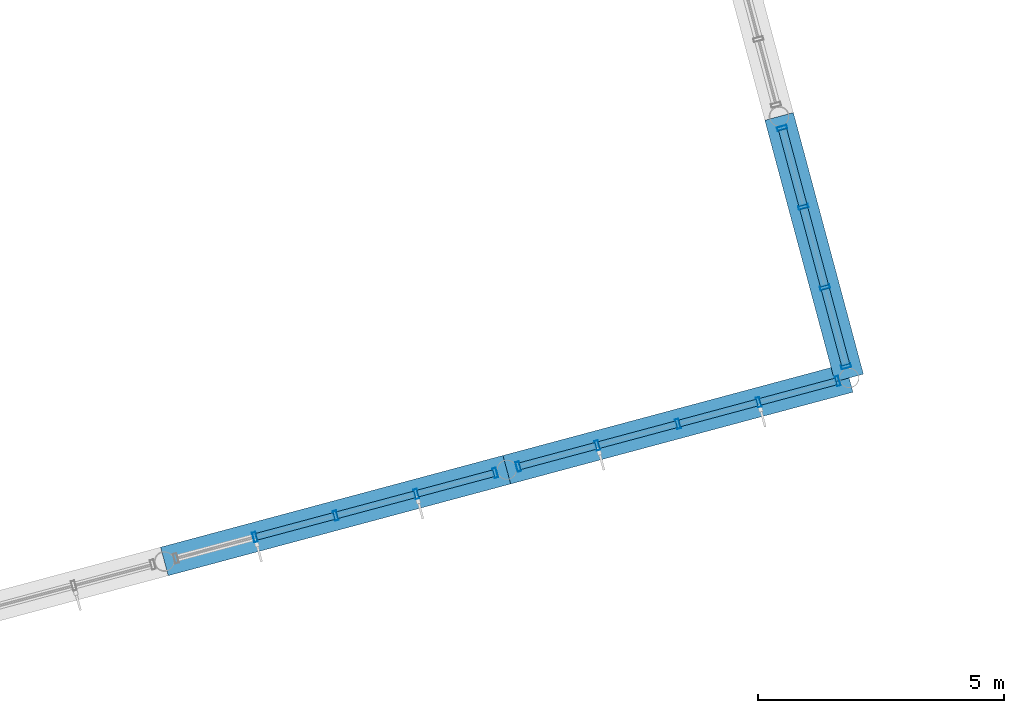
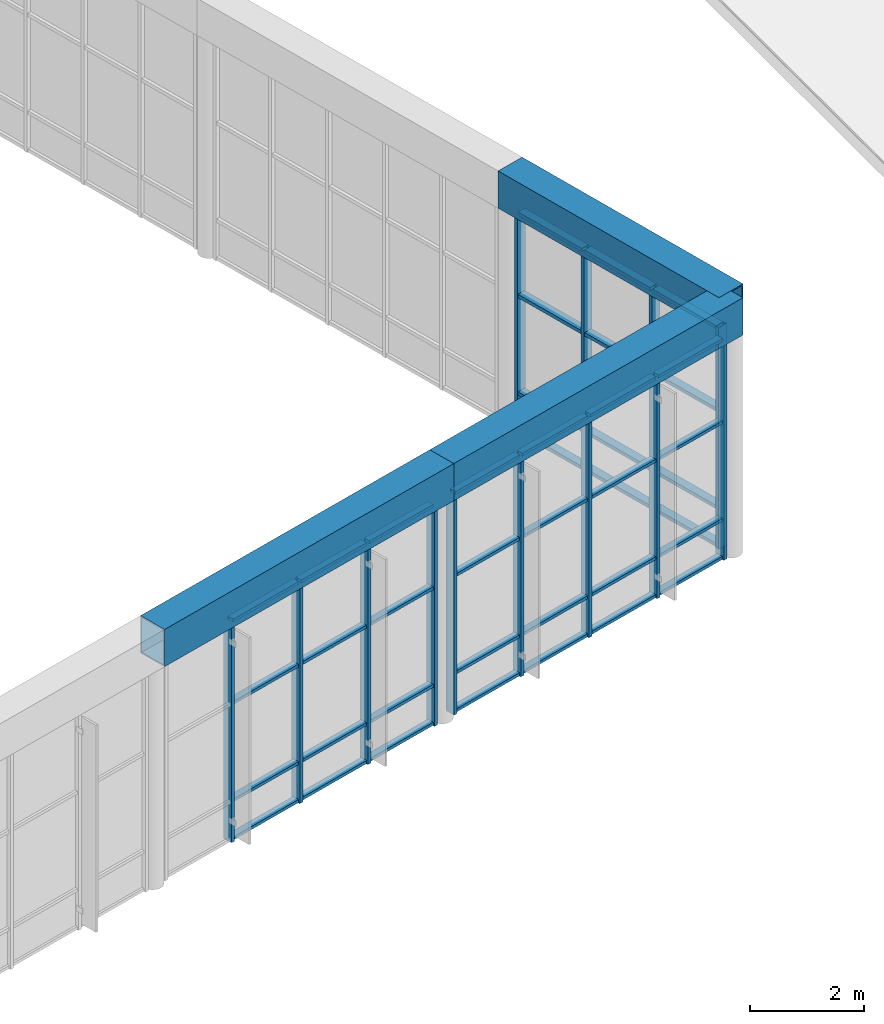
# One storey, part 33 of 55: 53 members, 3 beams, 3 elements without a shape of their own.
"""IFC4 building model written with IfcOpenShell, lengths in metres."""

from ifc_helpers import new_model, si_unit, direction, frame, origin, origin_2d, place, context, subcontext, project, spatial, hollow_rectangle, extrude, material, layer, layer_set, material_profile, profile_set, type_object, element, aggregate, save


model = new_model("IFC4")

# Units and contexts
model_context = context("Model", 3, precision=1e-05, world=origin(), true_north=direction((0.0, 1.0)))
body_context = subcontext(model_context, "Body", "Model", "MODEL_VIEW")
ifc_project = project(units=[si_unit("LENGTHUNIT", "METRE"), si_unit("AREAUNIT", "SQUARE_METRE"), si_unit("VOLUMEUNIT", "CUBIC_METRE"), si_unit("PLANEANGLEUNIT", "RADIAN"), si_unit("MASSUNIT", "GRAM", prefix="KILO")], contexts=[model_context])

# Site, building, storey
site_placement = place(None, origin())
site = spatial("IfcSite", under=ifc_project, at=site_placement, CompositionType="ELEMENT")
building_placement = place(site_placement, origin())
building = spatial("IfcBuilding", under=site, at=building_placement, Name="Ventoquebrada Cableway Terminal", CompositionType="ELEMENT")
storey_placement = place(building_placement, frame((0.0, 0.0, 14.39990234375)))
storey = spatial("IfcBuildingStorey", under=building, at=storey_placement, Name="L03", CompositionType="ELEMENT", Elevation=14.39990234375)

# Curtain wall, members
ifc_material_1 = material(Name="Anodized thermally-broken aluminium", Category="aluminium")
ifc_layer_1 = layer(ifc_material_1, 0.159912109375)
ifc_layer_set_1 = layer_set([ifc_layer_1], Name="Anodized thermally-broken aluminium")
curtain_wall_type_1 = type_object("IfcCurtainWallType", Name="CW-T42", PredefinedType="USERDEFINED", material=ifc_layer_set_1)
curtain_wall_1_placement = place(storey_placement, origin())
curtain_wall_1 = element("IfcCurtainWall", 1, at=curtain_wall_1_placement, inside=storey, type_object=curtain_wall_type_1, Name="Unitised glazed curtain wall CW-118", ObjectType="UNITISED CURTAIN WALL", PredefinedType="USERDEFINED")
ifc_material_profile_1 = material_profile(ifc_material_1, hollow_rectangle(XDim=0.074951171875, YDim=0.199951171875, WallThickness=0.00439453125, at=origin_2d()), Name="CW-MUL-75X200")
ifc_profile_set_1 = profile_set([ifc_material_profile_1], Name="Anodized thermally-broken aluminium")
member_type_1 = type_object("IfcMemberType", Name="CWM-02", PredefinedType="MULLION", material=ifc_profile_set_1)
member_1_placement = place(storey_placement, frame((74.680908203125, 75.867919921875, -0.0078125), z_axis=(0.0, 0.0, 1.0), x_axis=(0.965957439792, 0.258701033069, 0.0)))
member_1 = element("IfcMember", 2, at=member_1_placement, type_object=member_type_1, Name="Curtain wall mullion FML-0572", PredefinedType="MULLION", context=body_context, shape_type="SweptSolid", body=[
    extrude(hollow_rectangle(XDim=0.074951171875, YDim=0.199951171875, WallThickness=0.00439453125, at=origin_2d()), origin(), (0.0, 0.0, 1.0), 4.762939453125),
])
member_2_placement = place(storey_placement, frame((76.320068359375, 76.305908203125, -0.0078125), z_axis=(0.0, 0.0, 1.0), x_axis=(0.965957439792, 0.258701033069, 0.0)))
member_2 = element("IfcMember", 3, at=member_2_placement, type_object=member_type_1, Name="Curtain wall mullion FML-0573", PredefinedType="MULLION", context=body_context, shape_type="SweptSolid", body=[
    extrude(hollow_rectangle(XDim=0.074951171875, YDim=0.199951171875, WallThickness=0.00439453125, at=origin_2d()), origin(), (0.0, 0.0, 1.0), 4.762939453125),
])
member_3_placement = place(storey_placement, frame((77.9580078125, 76.7451171875, -0.0078125), z_axis=(0.0, 0.0, 1.0), x_axis=(0.965957439792, 0.258701033069, 0.0)))
member_3 = element("IfcMember", 4, at=member_3_placement, type_object=member_type_1, Name="Curtain wall mullion FML-0574", PredefinedType="MULLION", context=body_context, shape_type="SweptSolid", body=[
    extrude(hollow_rectangle(XDim=0.074951171875, YDim=0.199951171875, WallThickness=0.00439453125, at=origin_2d()), origin(), (0.0, 0.0, 1.0), 4.762939453125),
])
member_4_placement = place(storey_placement, frame((79.56201171875, 77.175048828125, -0.0078125), z_axis=(0.0, 0.0, 1.0), x_axis=(0.965957439792, 0.258701033069, 0.0)))
member_4 = element("IfcMember", 5, at=member_4_placement, type_object=member_type_1, Name="Curtain wall mullion FML-0575", PredefinedType="MULLION", context=body_context, shape_type="SweptSolid", body=[
    extrude(hollow_rectangle(XDim=0.074951171875, YDim=0.199951171875, WallThickness=0.00439453125, at=origin_2d()), origin(), (0.0, 0.0, 1.0), 4.762939453125),
])

curtain_wall_2_placement = place(storey_placement, origin())
curtain_wall_2 = element("IfcCurtainWall", 6, at=curtain_wall_2_placement, inside=storey, type_object=curtain_wall_type_1, Name="Unitised glazed curtain wall CW-119", ObjectType="UNITISED CURTAIN WALL", PredefinedType="USERDEFINED")
member_5_placement = place(storey_placement, frame((80.031982421875, 77.301025390625, -0.0078125), z_axis=(0.0, 0.0, 1.0), x_axis=(0.965912273231, 0.258869620506, 0.0)))
member_5 = element("IfcMember", 7, at=member_5_placement, type_object=member_type_1, Name="Curtain wall mullion FML-0576", PredefinedType="MULLION", context=body_context, shape_type="SweptSolid", body=[
    extrude(hollow_rectangle(XDim=0.074951171875, YDim=0.199951171875, WallThickness=0.00439453125, at=origin_2d()), origin(), (0.0, 0.0, 1.0), 4.762939453125),
])
member_6_placement = place(storey_placement, frame((81.635986328125, 77.73095703125, -0.0078125), z_axis=(0.0, 0.0, 1.0), x_axis=(0.965912273231, 0.258869620506, 0.0)))
member_6 = element("IfcMember", 8, at=member_6_placement, type_object=member_type_1, Name="Curtain wall mullion FML-0577", PredefinedType="MULLION", context=body_context, shape_type="SweptSolid", body=[
    extrude(hollow_rectangle(XDim=0.074951171875, YDim=0.199951171875, WallThickness=0.00439453125, at=origin_2d()), origin(), (0.0, 0.0, 1.0), 4.762939453125),
])
member_7_placement = place(storey_placement, frame((83.27392578125, 78.169921875, -0.0078125), z_axis=(0.0, 0.0, 1.0), x_axis=(0.965912273231, 0.258869620506, 0.0)))
member_7 = element("IfcMember", 9, at=member_7_placement, type_object=member_type_1, Name="Curtain wall mullion FML-0578", PredefinedType="MULLION", context=body_context, shape_type="SweptSolid", body=[
    extrude(hollow_rectangle(XDim=0.074951171875, YDim=0.199951171875, WallThickness=0.00439453125, at=origin_2d()), origin(), (0.0, 0.0, 1.0), 4.762939453125),
])
member_8_placement = place(storey_placement, frame((84.912109375, 78.60888671875, -0.0078125), z_axis=(0.0, 0.0, 1.0), x_axis=(0.965912273231, 0.258869620506, 0.0)))
member_8 = element("IfcMember", 10, at=member_8_placement, type_object=member_type_1, Name="Curtain wall mullion FML-0579", PredefinedType="MULLION", context=body_context, shape_type="SweptSolid", body=[
    extrude(hollow_rectangle(XDim=0.074951171875, YDim=0.199951171875, WallThickness=0.00439453125, at=origin_2d()), origin(), (0.0, 0.0, 1.0), 4.762939453125),
])
member_9_placement = place(storey_placement, frame((86.51611328125, 79.0390625, -0.0078125), z_axis=(0.0, 0.0, 1.0), x_axis=(0.965912273231, 0.258869620506, 0.0)))
member_9 = element("IfcMember", 11, at=member_9_placement, type_object=member_type_1, Name="Curtain wall mullion FML-0580", PredefinedType="MULLION", context=body_context, shape_type="SweptSolid", body=[
    extrude(hollow_rectangle(XDim=0.074951171875, YDim=0.199951171875, WallThickness=0.00439453125, at=origin_2d()), origin(), (0.0, 0.0, 1.0), 4.762939453125),
])

ifc_layer_2 = layer(ifc_material_1, 0.159912109375)
ifc_layer_set_2 = layer_set([ifc_layer_2], Name="Anodized thermally-broken aluminium")
curtain_wall_type_2 = type_object("IfcCurtainWallType", Name="CW-T43", PredefinedType="USERDEFINED", material=ifc_layer_set_2)
curtain_wall_3_placement = place(storey_placement, origin())
curtain_wall_3 = element("IfcCurtainWall", 12, at=curtain_wall_3_placement, inside=storey, type_object=curtain_wall_type_2, Name="Unitised glazed curtain wall CW-129", ObjectType="UNITISED CURTAIN WALL", PredefinedType="USERDEFINED")
member_10_placement = place(storey_placement, frame((86.68798828125, 79.3369140625, -0.0078125), z_axis=(0.0, 0.0, 1.0), x_axis=(-0.258701033069, 0.965957439792, 0.0)))
member_10 = element("IfcMember", 13, at=member_10_placement, type_object=member_type_1, Name="Curtain wall mullion FML-0626", PredefinedType="MULLION", context=body_context, shape_type="SweptSolid", body=[
    extrude(hollow_rectangle(XDim=0.074951171875, YDim=0.199951171875, WallThickness=0.00439453125, at=origin_2d()), origin(), (0.0, 0.0, 1.0), 4.762939453125),
])
member_11_placement = place(storey_placement, frame((86.259033203125, 80.93994140625, -0.0078125), z_axis=(0.0, 0.0, 1.0), x_axis=(-0.258701033069, 0.965957439792, 0.0)))
member_11 = element("IfcMember", 14, at=member_11_placement, type_object=member_type_1, Name="Curtain wall mullion FML-0627", PredefinedType="MULLION", context=body_context, shape_type="SweptSolid", body=[
    extrude(hollow_rectangle(XDim=0.074951171875, YDim=0.199951171875, WallThickness=0.00439453125, at=origin_2d()), origin(), (0.0, 0.0, 1.0), 4.762939453125),
])
member_12_placement = place(storey_placement, frame((85.820068359375, 82.575927734375, -0.0078125), z_axis=(0.0, 0.0, 1.0), x_axis=(-0.258701033069, 0.965957439792, 0.0)))
member_12 = element("IfcMember", 15, at=member_12_placement, type_object=member_type_1, Name="Curtain wall mullion FML-0628", PredefinedType="MULLION", context=body_context, shape_type="SweptSolid", body=[
    extrude(hollow_rectangle(XDim=0.074951171875, YDim=0.199951171875, WallThickness=0.00439453125, at=origin_2d()), origin(), (0.0, 0.0, 1.0), 4.762939453125),
])
member_13_placement = place(storey_placement, frame((85.39111328125, 84.178955078125, -0.0078125), z_axis=(0.0, 0.0, 1.0), x_axis=(-0.258701033069, 0.965957439792, 0.0)))
member_13 = element("IfcMember", 16, at=member_13_placement, type_object=member_type_1, Name="Curtain wall mullion FML-0629", PredefinedType="MULLION", context=body_context, shape_type="SweptSolid", body=[
    extrude(hollow_rectangle(XDim=0.074951171875, YDim=0.199951171875, WallThickness=0.00439453125, at=origin_2d()), origin(), (0.0, 0.0, 1.0), 4.762939453125),
])

# Member
ifc_material_profile_2 = material_profile(ifc_material_1, hollow_rectangle(XDim=0.06494140625, YDim=0.139892578125, WallThickness=0.00390625, at=origin_2d()), Name="CW-TRN-65X140")
ifc_profile_set_2 = profile_set([ifc_material_profile_2], Name="Anodized thermally-broken aluminium")
member_type_2 = type_object("IfcMemberType", Name="CWT-01", PredefinedType="USERDEFINED", material=ifc_profile_set_2)
member_14_placement = place(storey_placement, frame((74.712890625, 75.8759765625, 0.03515625), z_axis=(0.965918647009, 0.258845837055, 0.0), x_axis=(0.0, 0.0, 1.0)))
member_14 = element("IfcMember", 17, at=member_14_placement, type_object=member_type_2, Name="Curtain wall transom FTR-1684", ObjectType="TRANSOM", PredefinedType="USERDEFINED", context=body_context, shape_type="SweptSolid", body=[
    extrude(hollow_rectangle(XDim=0.06494140625, YDim=0.139892578125, WallThickness=0.00390625, at=origin_2d()), origin(), (0.0, 0.0, 1.0), 1.630859375),
])

member_15_placement = place(storey_placement, frame((74.712890625, 75.8759765625, 0.85009765625), z_axis=(0.965918647009, 0.258845837055, 0.0), x_axis=(0.0, 0.0, 1.0)))
member_15 = element("IfcMember", 18, at=member_15_placement, type_object=member_type_2, Name="Curtain wall transom FTR-1685", ObjectType="TRANSOM", PredefinedType="USERDEFINED", context=body_context, shape_type="SweptSolid", body=[
    extrude(hollow_rectangle(XDim=0.06494140625, YDim=0.139892578125, WallThickness=0.00390625, at=origin_2d()), origin(), (0.0, 0.0, 1.0), 1.630859375),
])

member_16_placement = place(storey_placement, frame((74.712890625, 75.8759765625, 2.945068359375), z_axis=(0.965918647009, 0.258845837055, 0.0), x_axis=(0.0, 0.0, 1.0)))
member_16 = element("IfcMember", 19, at=member_16_placement, type_object=member_type_2, Name="Curtain wall transom FTR-1686", ObjectType="TRANSOM", PredefinedType="USERDEFINED", context=body_context, shape_type="SweptSolid", body=[
    extrude(hollow_rectangle(XDim=0.06494140625, YDim=0.139892578125, WallThickness=0.00390625, at=origin_2d()), origin(), (0.0, 0.0, 1.0), 1.630859375),
])

member_17_placement = place(storey_placement, frame((74.712890625, 75.8759765625, 4.715087890625), z_axis=(0.965918647009, 0.258845837055, 0.0), x_axis=(0.0, 0.0, 1.0)))
member_17 = element("IfcMember", 20, at=member_17_placement, type_object=member_type_2, Name="Curtain wall transom FTR-1687", ObjectType="TRANSOM", PredefinedType="USERDEFINED", context=body_context, shape_type="SweptSolid", body=[
    extrude(hollow_rectangle(XDim=0.06494140625, YDim=0.139892578125, WallThickness=0.00390625, at=origin_2d()), origin(), (0.0, 0.0, 1.0), 1.630859375),
])

member_18_placement = place(storey_placement, frame((76.35107421875, 76.31494140625, 0.03515625), z_axis=(0.965908614195, 0.258883272972, 0.0), x_axis=(0.0, 0.0, 1.0)))
member_18 = element("IfcMember", 21, at=member_18_placement, type_object=member_type_2, Name="Curtain wall transom FTR-1688", ObjectType="TRANSOM", PredefinedType="USERDEFINED", context=body_context, shape_type="SweptSolid", body=[
    extrude(hollow_rectangle(XDim=0.06494140625, YDim=0.139892578125, WallThickness=0.00390625, at=origin_2d()), origin(), (0.0, 0.0, 1.0), 1.630615234375),
])

member_19_placement = place(storey_placement, frame((76.35107421875, 76.31494140625, 0.85009765625), z_axis=(0.965908614195, 0.258883272972, 0.0), x_axis=(0.0, 0.0, 1.0)))
member_19 = element("IfcMember", 22, at=member_19_placement, type_object=member_type_2, Name="Curtain wall transom FTR-1689", ObjectType="TRANSOM", PredefinedType="USERDEFINED", context=body_context, shape_type="SweptSolid", body=[
    extrude(hollow_rectangle(XDim=0.06494140625, YDim=0.139892578125, WallThickness=0.00390625, at=origin_2d()), origin(), (0.0, 0.0, 1.0), 1.630615234375),
])

member_20_placement = place(storey_placement, frame((76.35107421875, 76.31494140625, 2.945068359375), z_axis=(0.965908614195, 0.258883272972, 0.0), x_axis=(0.0, 0.0, 1.0)))
member_20 = element("IfcMember", 23, at=member_20_placement, type_object=member_type_2, Name="Curtain wall transom FTR-1690", ObjectType="TRANSOM", PredefinedType="USERDEFINED", context=body_context, shape_type="SweptSolid", body=[
    extrude(hollow_rectangle(XDim=0.06494140625, YDim=0.139892578125, WallThickness=0.00390625, at=origin_2d()), origin(), (0.0, 0.0, 1.0), 1.630615234375),
])

member_21_placement = place(storey_placement, frame((76.35107421875, 76.31494140625, 4.715087890625), z_axis=(0.965908614195, 0.258883272972, 0.0), x_axis=(0.0, 0.0, 1.0)))
member_21 = element("IfcMember", 24, at=member_21_placement, type_object=member_type_2, Name="Curtain wall transom FTR-1691", ObjectType="TRANSOM", PredefinedType="USERDEFINED", context=body_context, shape_type="SweptSolid", body=[
    extrude(hollow_rectangle(XDim=0.06494140625, YDim=0.139892578125, WallThickness=0.00390625, at=origin_2d()), origin(), (0.0, 0.0, 1.0), 1.630615234375),
])

member_22_placement = place(storey_placement, frame((77.989013671875, 76.75390625, 0.03515625), z_axis=(0.96593986049, 0.25876666307, 0.0), x_axis=(0.0, 0.0, 1.0)))
member_22 = element("IfcMember", 25, at=member_22_placement, type_object=member_type_2, Name="Curtain wall transom FTR-1692", ObjectType="TRANSOM", PredefinedType="USERDEFINED", context=body_context, shape_type="SweptSolid", body=[
    extrude(hollow_rectangle(XDim=0.06494140625, YDim=0.139892578125, WallThickness=0.00390625, at=origin_2d()), origin(), (0.0, 0.0, 1.0), 1.596435546875),
])

member_23_placement = place(storey_placement, frame((77.989013671875, 76.75390625, 0.85009765625), z_axis=(0.96593986049, 0.25876666307, 0.0), x_axis=(0.0, 0.0, 1.0)))
member_23 = element("IfcMember", 26, at=member_23_placement, type_object=member_type_2, Name="Curtain wall transom FTR-1693", ObjectType="TRANSOM", PredefinedType="USERDEFINED", context=body_context, shape_type="SweptSolid", body=[
    extrude(hollow_rectangle(XDim=0.06494140625, YDim=0.139892578125, WallThickness=0.00390625, at=origin_2d()), origin(), (0.0, 0.0, 1.0), 1.596435546875),
])

member_24_placement = place(storey_placement, frame((77.989013671875, 76.75390625, 2.945068359375), z_axis=(0.96593986049, 0.25876666307, 0.0), x_axis=(0.0, 0.0, 1.0)))
member_24 = element("IfcMember", 27, at=member_24_placement, type_object=member_type_2, Name="Curtain wall transom FTR-1694", ObjectType="TRANSOM", PredefinedType="USERDEFINED", context=body_context, shape_type="SweptSolid", body=[
    extrude(hollow_rectangle(XDim=0.06494140625, YDim=0.139892578125, WallThickness=0.00390625, at=origin_2d()), origin(), (0.0, 0.0, 1.0), 1.596435546875),
])

member_25_placement = place(storey_placement, frame((77.989013671875, 76.75390625, 4.715087890625), z_axis=(0.96593986049, 0.25876666307, 0.0), x_axis=(0.0, 0.0, 1.0)))
member_25 = element("IfcMember", 28, at=member_25_placement, type_object=member_type_2, Name="Curtain wall transom FTR-1695", ObjectType="TRANSOM", PredefinedType="USERDEFINED", context=body_context, shape_type="SweptSolid", body=[
    extrude(hollow_rectangle(XDim=0.06494140625, YDim=0.139892578125, WallThickness=0.00390625, at=origin_2d()), origin(), (0.0, 0.0, 1.0), 1.596435546875),
])

aggregate(curtain_wall_1, [member_1, member_2, member_3, member_4, member_14, member_15, member_16, member_17, member_18, member_19, member_20, member_21, member_22, member_23, member_24, member_25])

member_26_placement = place(storey_placement, frame((80.06298828125, 77.30908203125, 0.03515625), z_axis=(0.965825099292, 0.2591946712, 0.0), x_axis=(0.0, 0.0, 1.0)))
member_26 = element("IfcMember", 29, at=member_26_placement, type_object=member_type_2, Name="Curtain wall transom FTR-1696", ObjectType="TRANSOM", PredefinedType="USERDEFINED", context=body_context, shape_type="SweptSolid", body=[
    extrude(hollow_rectangle(XDim=0.06494140625, YDim=0.139892578125, WallThickness=0.00390625, at=origin_2d()), origin(), (0.0, 0.0, 1.0), 1.596435546875),
])

member_27_placement = place(storey_placement, frame((80.06298828125, 77.30908203125, 0.85009765625), z_axis=(0.965825099292, 0.2591946712, 0.0), x_axis=(0.0, 0.0, 1.0)))
member_27 = element("IfcMember", 30, at=member_27_placement, type_object=member_type_2, Name="Curtain wall transom FTR-1697", ObjectType="TRANSOM", PredefinedType="USERDEFINED", context=body_context, shape_type="SweptSolid", body=[
    extrude(hollow_rectangle(XDim=0.06494140625, YDim=0.139892578125, WallThickness=0.00390625, at=origin_2d()), origin(), (0.0, 0.0, 1.0), 1.596435546875),
])

member_28_placement = place(storey_placement, frame((80.06298828125, 77.30908203125, 2.945068359375), z_axis=(0.965825099292, 0.2591946712, 0.0), x_axis=(0.0, 0.0, 1.0)))
member_28 = element("IfcMember", 31, at=member_28_placement, type_object=member_type_2, Name="Curtain wall transom FTR-1698", ObjectType="TRANSOM", PredefinedType="USERDEFINED", context=body_context, shape_type="SweptSolid", body=[
    extrude(hollow_rectangle(XDim=0.06494140625, YDim=0.139892578125, WallThickness=0.00390625, at=origin_2d()), origin(), (0.0, 0.0, 1.0), 1.596435546875),
])

member_29_placement = place(storey_placement, frame((80.06298828125, 77.30908203125, 4.715087890625), z_axis=(0.965825099292, 0.2591946712, 0.0), x_axis=(0.0, 0.0, 1.0)))
member_29 = element("IfcMember", 32, at=member_29_placement, type_object=member_type_2, Name="Curtain wall transom FTR-1699", ObjectType="TRANSOM", PredefinedType="USERDEFINED", context=body_context, shape_type="SweptSolid", body=[
    extrude(hollow_rectangle(XDim=0.06494140625, YDim=0.139892578125, WallThickness=0.00390625, at=origin_2d()), origin(), (0.0, 0.0, 1.0), 1.596435546875),
])

member_30_placement = place(storey_placement, frame((81.6669921875, 77.739013671875, 0.03515625), z_axis=(0.965798983504, 0.259291965672, 0.0), x_axis=(0.0, 0.0, 1.0)))
member_30 = element("IfcMember", 33, at=member_30_placement, type_object=member_type_2, Name="Curtain wall transom FTR-1700", ObjectType="TRANSOM", PredefinedType="USERDEFINED", context=body_context, shape_type="SweptSolid", body=[
    extrude(hollow_rectangle(XDim=0.06494140625, YDim=0.139892578125, WallThickness=0.00390625, at=origin_2d()), origin(), (0.0, 0.0, 1.0), 1.6318359375),
])

member_31_placement = place(storey_placement, frame((81.6669921875, 77.739013671875, 0.85009765625), z_axis=(0.965798983504, 0.259291965672, 0.0), x_axis=(0.0, 0.0, 1.0)))
member_31 = element("IfcMember", 34, at=member_31_placement, type_object=member_type_2, Name="Curtain wall transom FTR-1701", ObjectType="TRANSOM", PredefinedType="USERDEFINED", context=body_context, shape_type="SweptSolid", body=[
    extrude(hollow_rectangle(XDim=0.06494140625, YDim=0.139892578125, WallThickness=0.00390625, at=origin_2d()), origin(), (0.0, 0.0, 1.0), 1.6318359375),
])

member_32_placement = place(storey_placement, frame((81.6669921875, 77.739013671875, 2.945068359375), z_axis=(0.965798983504, 0.259291965672, 0.0), x_axis=(0.0, 0.0, 1.0)))
member_32 = element("IfcMember", 35, at=member_32_placement, type_object=member_type_2, Name="Curtain wall transom FTR-1702", ObjectType="TRANSOM", PredefinedType="USERDEFINED", context=body_context, shape_type="SweptSolid", body=[
    extrude(hollow_rectangle(XDim=0.06494140625, YDim=0.139892578125, WallThickness=0.00390625, at=origin_2d()), origin(), (0.0, 0.0, 1.0), 1.6318359375),
])

member_33_placement = place(storey_placement, frame((81.6669921875, 77.739013671875, 4.715087890625), z_axis=(0.965798983504, 0.259291965672, 0.0), x_axis=(0.0, 0.0, 1.0)))
member_33 = element("IfcMember", 36, at=member_33_placement, type_object=member_type_2, Name="Curtain wall transom FTR-1703", ObjectType="TRANSOM", PredefinedType="USERDEFINED", context=body_context, shape_type="SweptSolid", body=[
    extrude(hollow_rectangle(XDim=0.06494140625, YDim=0.139892578125, WallThickness=0.00390625, at=origin_2d()), origin(), (0.0, 0.0, 1.0), 1.6318359375),
])

member_34_placement = place(storey_placement, frame((83.304931640625, 78.177978515625, 0.03515625), z_axis=(0.965809040644, 0.259254502391, 0.0), x_axis=(0.0, 0.0, 1.0)))
member_34 = element("IfcMember", 37, at=member_34_placement, type_object=member_type_2, Name="Curtain wall transom FTR-1704", ObjectType="TRANSOM", PredefinedType="USERDEFINED", context=body_context, shape_type="SweptSolid", body=[
    extrude(hollow_rectangle(XDim=0.06494140625, YDim=0.139892578125, WallThickness=0.00390625, at=origin_2d()), origin(), (0.0, 0.0, 1.0), 1.632080078125),
])

member_35_placement = place(storey_placement, frame((83.304931640625, 78.177978515625, 0.85009765625), z_axis=(0.965809040644, 0.259254502391, 0.0), x_axis=(0.0, 0.0, 1.0)))
member_35 = element("IfcMember", 38, at=member_35_placement, type_object=member_type_2, Name="Curtain wall transom FTR-1705", ObjectType="TRANSOM", PredefinedType="USERDEFINED", context=body_context, shape_type="SweptSolid", body=[
    extrude(hollow_rectangle(XDim=0.06494140625, YDim=0.139892578125, WallThickness=0.00390625, at=origin_2d()), origin(), (0.0, 0.0, 1.0), 1.632080078125),
])

member_36_placement = place(storey_placement, frame((83.304931640625, 78.177978515625, 2.945068359375), z_axis=(0.965809040644, 0.259254502391, 0.0), x_axis=(0.0, 0.0, 1.0)))
member_36 = element("IfcMember", 39, at=member_36_placement, type_object=member_type_2, Name="Curtain wall transom FTR-1706", ObjectType="TRANSOM", PredefinedType="USERDEFINED", context=body_context, shape_type="SweptSolid", body=[
    extrude(hollow_rectangle(XDim=0.06494140625, YDim=0.139892578125, WallThickness=0.00390625, at=origin_2d()), origin(), (0.0, 0.0, 1.0), 1.632080078125),
])

member_37_placement = place(storey_placement, frame((83.304931640625, 78.177978515625, 4.715087890625), z_axis=(0.965809040644, 0.259254502391, 0.0), x_axis=(0.0, 0.0, 1.0)))
member_37 = element("IfcMember", 40, at=member_37_placement, type_object=member_type_2, Name="Curtain wall transom FTR-1707", ObjectType="TRANSOM", PredefinedType="USERDEFINED", context=body_context, shape_type="SweptSolid", body=[
    extrude(hollow_rectangle(XDim=0.06494140625, YDim=0.139892578125, WallThickness=0.00390625, at=origin_2d()), origin(), (0.0, 0.0, 1.0), 1.632080078125),
])

member_38_placement = place(storey_placement, frame((84.943115234375, 78.616943359375, 0.03515625), z_axis=(0.965786809484, 0.259337306663, 0.0), x_axis=(0.0, 0.0, 1.0)))
member_38 = element("IfcMember", 41, at=member_38_placement, type_object=member_type_2, Name="Curtain wall transom FTR-1708", ObjectType="TRANSOM", PredefinedType="USERDEFINED", context=body_context, shape_type="SweptSolid", body=[
    extrude(hollow_rectangle(XDim=0.06494140625, YDim=0.139892578125, WallThickness=0.00390625, at=origin_2d()), origin(), (0.0, 0.0, 1.0), 1.5966796875),
])

member_39_placement = place(storey_placement, frame((84.943115234375, 78.616943359375, 0.85009765625), z_axis=(0.965786809484, 0.259337306663, 0.0), x_axis=(0.0, 0.0, 1.0)))
member_39 = element("IfcMember", 42, at=member_39_placement, type_object=member_type_2, Name="Curtain wall transom FTR-1709", ObjectType="TRANSOM", PredefinedType="USERDEFINED", context=body_context, shape_type="SweptSolid", body=[
    extrude(hollow_rectangle(XDim=0.06494140625, YDim=0.139892578125, WallThickness=0.00390625, at=origin_2d()), origin(), (0.0, 0.0, 1.0), 1.5966796875),
])

member_40_placement = place(storey_placement, frame((84.943115234375, 78.616943359375, 2.945068359375), z_axis=(0.965786809484, 0.259337306663, 0.0), x_axis=(0.0, 0.0, 1.0)))
member_40 = element("IfcMember", 43, at=member_40_placement, type_object=member_type_2, Name="Curtain wall transom FTR-1710", ObjectType="TRANSOM", PredefinedType="USERDEFINED", context=body_context, shape_type="SweptSolid", body=[
    extrude(hollow_rectangle(XDim=0.06494140625, YDim=0.139892578125, WallThickness=0.00390625, at=origin_2d()), origin(), (0.0, 0.0, 1.0), 1.5966796875),
])

member_41_placement = place(storey_placement, frame((84.943115234375, 78.616943359375, 4.715087890625), z_axis=(0.965786809484, 0.259337306663, 0.0), x_axis=(0.0, 0.0, 1.0)))
member_41 = element("IfcMember", 44, at=member_41_placement, type_object=member_type_2, Name="Curtain wall transom FTR-1711", ObjectType="TRANSOM", PredefinedType="USERDEFINED", context=body_context, shape_type="SweptSolid", body=[
    extrude(hollow_rectangle(XDim=0.06494140625, YDim=0.139892578125, WallThickness=0.00390625, at=origin_2d()), origin(), (0.0, 0.0, 1.0), 1.5966796875),
])

aggregate(curtain_wall_2, [member_5, member_6, member_7, member_8, member_9, member_26, member_27, member_28, member_29, member_30, member_31, member_32, member_33, member_34, member_35, member_36, member_37, member_38, member_39, member_40, member_41])

ifc_material_profile_3 = material_profile(ifc_material_1, hollow_rectangle(XDim=0.074951171875, YDim=0.169921875, WallThickness=0.00439453125, at=origin_2d()), Name="CW-TRN-75X170")
ifc_profile_set_3 = profile_set([ifc_material_profile_3], Name="Anodized thermally-broken aluminium")
member_type_3 = type_object("IfcMemberType", Name="CWT-03", PredefinedType="USERDEFINED", material=ifc_profile_set_3)
member_42_placement = place(storey_placement, frame((86.679931640625, 79.367919921875, 0.03515625), z_axis=(-0.258929977343, 0.965896095257, 0.0), x_axis=(0.0, 0.0, 1.0)))
member_42 = element("IfcMember", 45, at=member_42_placement, type_object=member_type_3, Name="Curtain wall transom FTR-1856", ObjectType="TRANSOM", PredefinedType="USERDEFINED", context=body_context, shape_type="SweptSolid", body=[
    extrude(hollow_rectangle(XDim=0.074951171875, YDim=0.169921875, WallThickness=0.00439453125, at=origin_2d()), origin(), (0.0, 0.0, 1.0), 1.594482421875),
])

member_43_placement = place(storey_placement, frame((86.679931640625, 79.367919921875, 0.85009765625), z_axis=(-0.258929977343, 0.965896095257, 0.0), x_axis=(0.0, 0.0, 1.0)))
member_43 = element("IfcMember", 46, at=member_43_placement, type_object=member_type_3, Name="Curtain wall transom FTR-1857", ObjectType="TRANSOM", PredefinedType="USERDEFINED", context=body_context, shape_type="SweptSolid", body=[
    extrude(hollow_rectangle(XDim=0.074951171875, YDim=0.169921875, WallThickness=0.00439453125, at=origin_2d()), origin(), (0.0, 0.0, 1.0), 1.594482421875),
])

member_44_placement = place(storey_placement, frame((86.679931640625, 79.367919921875, 2.945068359375), z_axis=(-0.258929977343, 0.965896095257, 0.0), x_axis=(0.0, 0.0, 1.0)))
member_44 = element("IfcMember", 47, at=member_44_placement, type_object=member_type_3, Name="Curtain wall transom FTR-1858", ObjectType="TRANSOM", PredefinedType="USERDEFINED", context=body_context, shape_type="SweptSolid", body=[
    extrude(hollow_rectangle(XDim=0.074951171875, YDim=0.169921875, WallThickness=0.00439453125, at=origin_2d()), origin(), (0.0, 0.0, 1.0), 1.594482421875),
])

member_45_placement = place(storey_placement, frame((86.679931640625, 79.367919921875, 4.715087890625), z_axis=(-0.258929977343, 0.965896095257, 0.0), x_axis=(0.0, 0.0, 1.0)))
member_45 = element("IfcMember", 48, at=member_45_placement, type_object=member_type_3, Name="Curtain wall transom FTR-1859", ObjectType="TRANSOM", PredefinedType="USERDEFINED", context=body_context, shape_type="SweptSolid", body=[
    extrude(hollow_rectangle(XDim=0.074951171875, YDim=0.169921875, WallThickness=0.00439453125, at=origin_2d()), origin(), (0.0, 0.0, 1.0), 1.594482421875),
])

member_46_placement = place(storey_placement, frame((86.25, 80.970947265625, 0.03515625), z_axis=(-0.258334096322, 0.966055637465, 0.0), x_axis=(0.0, 0.0, 1.0)))
member_46 = element("IfcMember", 49, at=member_46_placement, type_object=member_type_3, Name="Curtain wall transom FTR-1860", ObjectType="TRANSOM", PredefinedType="USERDEFINED", context=body_context, shape_type="SweptSolid", body=[
    extrude(hollow_rectangle(XDim=0.074951171875, YDim=0.169921875, WallThickness=0.00439453125, at=origin_2d()), origin(), (0.0, 0.0, 1.0), 1.62939453125),
])

member_47_placement = place(storey_placement, frame((86.25, 80.970947265625, 0.85009765625), z_axis=(-0.258334096322, 0.966055637465, 0.0), x_axis=(0.0, 0.0, 1.0)))
member_47 = element("IfcMember", 50, at=member_47_placement, type_object=member_type_3, Name="Curtain wall transom FTR-1861", ObjectType="TRANSOM", PredefinedType="USERDEFINED", context=body_context, shape_type="SweptSolid", body=[
    extrude(hollow_rectangle(XDim=0.074951171875, YDim=0.169921875, WallThickness=0.00439453125, at=origin_2d()), origin(), (0.0, 0.0, 1.0), 1.62939453125),
])

member_48_placement = place(storey_placement, frame((86.25, 80.970947265625, 2.945068359375), z_axis=(-0.258334096322, 0.966055637465, 0.0), x_axis=(0.0, 0.0, 1.0)))
member_48 = element("IfcMember", 51, at=member_48_placement, type_object=member_type_3, Name="Curtain wall transom FTR-1862", ObjectType="TRANSOM", PredefinedType="USERDEFINED", context=body_context, shape_type="SweptSolid", body=[
    extrude(hollow_rectangle(XDim=0.074951171875, YDim=0.169921875, WallThickness=0.00439453125, at=origin_2d()), origin(), (0.0, 0.0, 1.0), 1.62939453125),
])

member_49_placement = place(storey_placement, frame((86.25, 80.970947265625, 4.715087890625), z_axis=(-0.258334096322, 0.966055637465, 0.0), x_axis=(0.0, 0.0, 1.0)))
member_49 = element("IfcMember", 52, at=member_49_placement, type_object=member_type_3, Name="Curtain wall transom FTR-1863", ObjectType="TRANSOM", PredefinedType="USERDEFINED", context=body_context, shape_type="SweptSolid", body=[
    extrude(hollow_rectangle(XDim=0.074951171875, YDim=0.169921875, WallThickness=0.00439453125, at=origin_2d()), origin(), (0.0, 0.0, 1.0), 1.62939453125),
])

member_50_placement = place(storey_placement, frame((85.81201171875, 82.60791015625, 0.03515625), z_axis=(-0.259072825195, 0.965857790384, 0.0), x_axis=(0.0, 0.0, 1.0)))
member_50 = element("IfcMember", 53, at=member_50_placement, type_object=member_type_3, Name="Curtain wall transom FTR-1864", ObjectType="TRANSOM", PredefinedType="USERDEFINED", context=body_context, shape_type="SweptSolid", body=[
    extrude(hollow_rectangle(XDim=0.074951171875, YDim=0.169921875, WallThickness=0.00439453125, at=origin_2d()), origin(), (0.0, 0.0, 1.0), 1.594482421875),
])

member_51_placement = place(storey_placement, frame((85.81201171875, 82.60791015625, 0.85009765625), z_axis=(-0.259072825195, 0.965857790384, 0.0), x_axis=(0.0, 0.0, 1.0)))
member_51 = element("IfcMember", 54, at=member_51_placement, type_object=member_type_3, Name="Curtain wall transom FTR-1865", ObjectType="TRANSOM", PredefinedType="USERDEFINED", context=body_context, shape_type="SweptSolid", body=[
    extrude(hollow_rectangle(XDim=0.074951171875, YDim=0.169921875, WallThickness=0.00439453125, at=origin_2d()), origin(), (0.0, 0.0, 1.0), 1.594482421875),
])

member_52_placement = place(storey_placement, frame((85.81201171875, 82.60791015625, 2.945068359375), z_axis=(-0.259072825195, 0.965857790384, 0.0), x_axis=(0.0, 0.0, 1.0)))
member_52 = element("IfcMember", 55, at=member_52_placement, type_object=member_type_3, Name="Curtain wall transom FTR-1866", ObjectType="TRANSOM", PredefinedType="USERDEFINED", context=body_context, shape_type="SweptSolid", body=[
    extrude(hollow_rectangle(XDim=0.074951171875, YDim=0.169921875, WallThickness=0.00439453125, at=origin_2d()), origin(), (0.0, 0.0, 1.0), 1.594482421875),
])

member_53_placement = place(storey_placement, frame((85.81201171875, 82.60791015625, 4.715087890625), z_axis=(-0.259072825195, 0.965857790384, 0.0), x_axis=(0.0, 0.0, 1.0)))
member_53 = element("IfcMember", 56, at=member_53_placement, type_object=member_type_3, Name="Curtain wall transom FTR-1867", ObjectType="TRANSOM", PredefinedType="USERDEFINED", context=body_context, shape_type="SweptSolid", body=[
    extrude(hollow_rectangle(XDim=0.074951171875, YDim=0.169921875, WallThickness=0.00439453125, at=origin_2d()), origin(), (0.0, 0.0, 1.0), 1.594482421875),
])

aggregate(curtain_wall_3, [member_10, member_11, member_12, member_13, member_42, member_43, member_44, member_45, member_46, member_47, member_48, member_49, member_50, member_51, member_52, member_53])

# Beams
ifc_material_2 = material(Name="Steel ASTM A572 Grade 50", Category="steel")
ifc_material_profile_4 = material_profile(ifc_material_2, hollow_rectangle(XDim=0.60009765625, YDim=0.800048828125, WallThickness=0.02490234375, at=origin_2d()), Name="BOX600X800X25")
ifc_profile_set_4 = profile_set([ifc_material_profile_4], Name="Steel ASTM A572 Grade 50")
beam_type = type_object("IfcBeamType", Name="RNG-ST01", PredefinedType="BEAM", material=ifc_profile_set_4)
beam_1_placement = place(storey_placement, frame((86.7509765625, 79.10205078125, 5.2001953125), z_axis=(-0.25877602824, 0.965937351596, 0.0), x_axis=(-0.965937351596, -0.25877602824, 0.0)))
element("IfcBeam", 57, at=beam_1_placement, inside=storey, type_object=beam_type, Name="Gridshell compression-tension ring beam FBM-1132", PredefinedType="BEAM", context=body_context, shape_type="SweptSolid", body=[
    extrude(hollow_rectangle(XDim=0.60009765625, YDim=0.800048828125, WallThickness=0.02490234375, at=origin_2d()), origin(), (0.0, 0.0, 1.0), 5.499267578125),
])
beam_2_placement = place(storey_placement, frame((72.842041015625, 75.375, 5.2001953125), z_axis=(0.965945630245, 0.258745124417, 0.0), x_axis=(-0.258745124417, 0.965945630245, 0.0)))
element("IfcBeam", 58, at=beam_2_placement, inside=storey, type_object=beam_type, Name="Gridshell compression-tension ring beam FBM-1139", PredefinedType="BEAM", context=body_context, shape_type="SweptSolid", body=[
    extrude(hollow_rectangle(XDim=0.60009765625, YDim=0.800048828125, WallThickness=0.02490234375, at=origin_2d()), origin(), (0.0, 0.0, 1.0), 7.2001953125),
])
beam_3_placement = place(storey_placement, frame((79.797119140625, 77.238037109375, 5.2001953125), z_axis=(0.965900361292, 0.258914063071, 0.0), x_axis=(-0.258914063071, 0.965900361292, 0.0)))
element("IfcBeam", 59, at=beam_3_placement, inside=storey, type_object=beam_type, Name="Gridshell compression-tension ring beam FBM-1140", PredefinedType="BEAM", context=body_context, shape_type="SweptSolid", body=[
    extrude(hollow_rectangle(XDim=0.60009765625, YDim=0.800048828125, WallThickness=0.02490234375, at=origin_2d()), origin(), (0.0, 0.0, 1.0), 7.199462890625),
])

save(model, "model.ifc")
